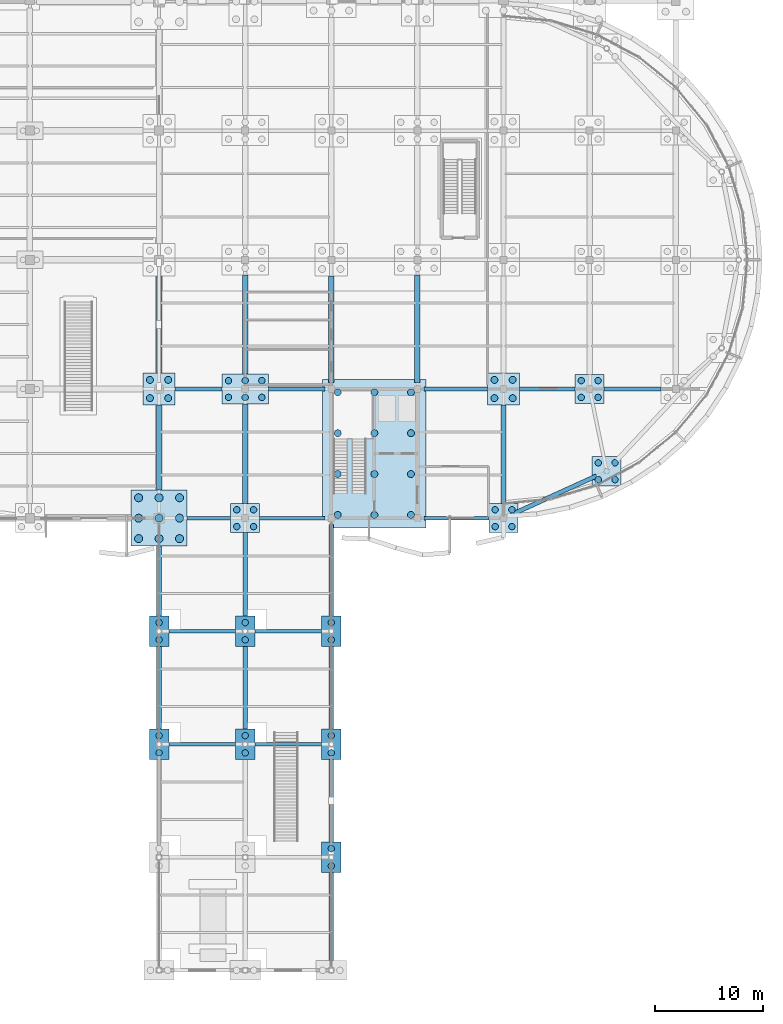
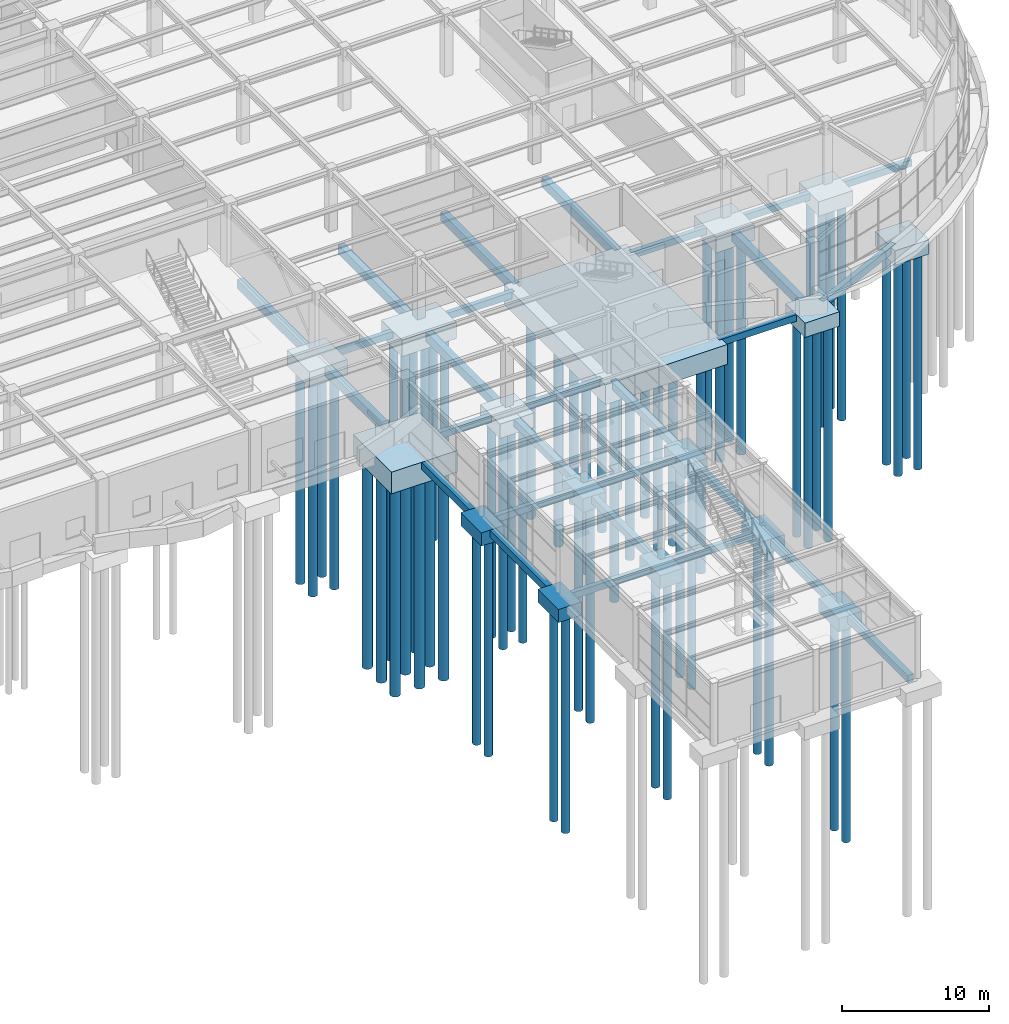
# One storey, part 7 of 85: 65 piles, 44 footings.
"""IFC4 building model written with IfcOpenShell, lengths in metres."""

from ifc_helpers import new_model, si_unit, direction, frame, origin, origin_2d, place, context, subcontext, project, spatial, polyline, rectangle, circle, outline, extrude, material, material_profile, profile_set, type_object, element, save


model = new_model("IFC4")

# Units and contexts
model_context = context("Model", 3, precision=1e-05, world=origin(), true_north=direction((0.0, 1.0)))
body_context = subcontext(model_context, "Body", "Model", "MODEL_VIEW")
ifc_project = project(units=[si_unit("LENGTHUNIT", "METRE"), si_unit("AREAUNIT", "SQUARE_METRE"), si_unit("VOLUMEUNIT", "CUBIC_METRE"), si_unit("PLANEANGLEUNIT", "RADIAN"), si_unit("MASSUNIT", "GRAM", prefix="KILO")], contexts=[model_context])

# Site, building, storey
site_placement = place(None, origin())
site = spatial("IfcSite", under=ifc_project, at=site_placement, CompositionType="ELEMENT")
building_placement = place(site_placement, origin())
building = spatial("IfcBuilding", under=site, at=building_placement, Name="Keelwater Ferry Terminal", CompositionType="ELEMENT")
storey_placement = place(building_placement, origin())
storey = spatial("IfcBuildingStorey", under=building, at=storey_placement, Name="L00", CompositionType="ELEMENT", Elevation=0.0)

# Piles
ifc_material_1 = material(Name="Concrete C45/55", Category="concrete")
ifc_material_profile_1 = material_profile(ifc_material_1, circle(Radius=0.375, at=origin_2d()), Name="PILE D750")
ifc_profile_set_1 = profile_set([ifc_material_profile_1], Name="Concrete C45/55")
pile_type_1 = type_object("IfcPileType", Name="P1 PILE D750", PredefinedType="DRIVEN", material=ifc_profile_set_1)
for number, where, z_axis, x_axis, name in (
    (1, (130.10009765625, 40.10009765625, -2.10009765625), (0.0, 0.0, -1.0), (1.0, 0.0, 0.0), "Driven Pile 0345"),
    (2, (132.0, 40.10009765625, -2.10009765625), (0.0, 0.0, -1.0), (1.0, 0.0, 0.0), "Driven Pile 0346"),
    (3, (133.89990234375, 40.10009765625, -2.10009765625), (0.0, 0.0, -1.0), (1.0, 0.0, 0.0), "Driven Pile 0347"),
    (4, (130.10009765625, 42.0, -2.10009765625), (0.0, 0.0, -1.0), (1.0, 0.0, 0.0), "Driven Pile 0348"),
    (5, (132.0, 42.0, -2.10009765625), (0.0, 0.0, -1.0), (1.0, 0.0, 0.0), "Driven Pile 0349"),
    (6, (133.89990234375, 42.0, -2.10009765625), (0.0, 0.0, -1.0), (1.0, 0.0, 0.0), "Driven Pile 0350"),
    (7, (130.10009765625, 43.89990234375, -2.10009765625), (0.0, 0.0, -1.0), (1.0, 0.0, 0.0), "Driven Pile 0351"),
    (8, (132.0, 43.89990234375, -2.10009765625), (0.0, 0.0, -1.0), (1.0, 0.0, 0.0), "Driven Pile 0352"),
    (9, (133.89990234375, 43.89990234375, -2.10009765625), (0.0, 0.0, -1.0), (1.0, 0.0, 0.0), "Driven Pile 0353"),
):
    element("IfcPile", number, at=place(storey_placement, frame(where, z_axis=z_axis, x_axis=x_axis)), inside=storey, type_object=pile_type_1, Name=name, PredefinedType="DRIVEN", context=body_context, shape_type="SweptSolid", body=[
        extrude(circle(Radius=0.375, at=origin_2d()), origin(), (0.0, 0.0, 1.0), 17.39990234375),
    ])
ifc_material_2 = material(Name="Concrete C45/55", Category="concrete")
ifc_material_profile_2 = material_profile(ifc_material_2, circle(Radius=0.324951171875, at=origin_2d()), Name="PILE D650")
ifc_profile_set_2 = profile_set([ifc_material_profile_2], Name="Concrete C45/55")
pile_type_2 = type_object("IfcPileType", Name="P2 PILE D650", PredefinedType="DRIVEN", material=ifc_profile_set_2)
for number, where, z_axis, x_axis, name in (
    (10, (148.60009765625, 42.300048828125, -1.949951171875), (0.0, 0.0, -1.0), (1.0, 0.0, 0.0), "Driven Pile 0034"),
    (11, (148.60009765625, 46.10009765625, -1.949951171875), (0.0, 0.0, -1.0), (1.0, 0.0, 0.0), "Driven Pile 0035"),
    (12, (148.60009765625, 49.89990234375, -1.949951171875), (0.0, 0.0, -1.0), (1.0, 0.0, 0.0), "Driven Pile 0036"),
    (13, (148.60009765625, 53.699951171875, -1.949951171875), (0.0, 0.0, -1.0), (1.0, 0.0, 0.0), "Driven Pile 0037"),
    (14, (152.0, 42.300048828125, -1.949951171875), (0.0, 0.0, -1.0), (1.0, 0.0, 0.0), "Driven Pile 0038"),
    (15, (152.0, 46.10009765625, -1.949951171875), (0.0, 0.0, -1.0), (1.0, 0.0, 0.0), "Driven Pile 0039"),
    (16, (152.0, 49.89990234375, -1.949951171875), (0.0, 0.0, -1.0), (1.0, 0.0, 0.0), "Driven Pile 0040"),
    (17, (152.0, 53.699951171875, -1.949951171875), (0.0, 0.0, -1.0), (1.0, 0.0, 0.0), "Driven Pile 0041"),
    (18, (155.39990234375, 42.300048828125, -1.949951171875), (0.0, 0.0, -1.0), (1.0, 0.0, 0.0), "Driven Pile 0042"),
    (19, (155.39990234375, 46.10009765625, -1.949951171875), (0.0, 0.0, -1.0), (1.0, 0.0, 0.0), "Driven Pile 0043"),
    (20, (155.39990234375, 49.89990234375, -1.949951171875), (0.0, 0.0, -1.0), (1.0, 0.0, 0.0), "Driven Pile 0044"),
    (21, (155.39990234375, 53.699951171875, -1.949951171875), (0.0, 0.0, -1.0), (1.0, 0.0, 0.0), "Driven Pile 0045"),
):
    element("IfcPile", number, at=place(storey_placement, frame(where, z_axis=z_axis, x_axis=x_axis)), inside=storey, type_object=pile_type_2, Name=name, PredefinedType="DRIVEN", context=body_context, shape_type="SweptSolid", body=[
        extrude(circle(Radius=0.324951171875, at=origin_2d()), origin(), (0.0, 0.0, 1.0), 17.550048828125),
    ])
for number, where, z_axis, x_axis, name in (
    (22, (131.14990234375, 53.14990234375, -1.60009765625), (0.0, 0.0, -1.0), (1.0, 0.0, 0.0), "Driven Pile 0354"),
    (23, (132.85009765625, 53.14990234375, -1.60009765625), (0.0, 0.0, -1.0), (1.0, 0.0, 0.0), "Driven Pile 0355"),
    (24, (131.14990234375, 54.85009765625, -1.60009765625), (0.0, 0.0, -1.0), (1.0, 0.0, 0.0), "Driven Pile 0356"),
    (25, (132.85009765625, 54.85009765625, -1.60009765625), (0.0, 0.0, -1.0), (1.0, 0.0, 0.0), "Driven Pile 0357"),
    (26, (163.14990234375, 53.14990234375, -1.60009765625), (0.0, 0.0, -1.0), (1.0, 0.0, 0.0), "Driven Pile 0519"),
    (27, (164.85009765625, 53.14990234375, -1.60009765625), (0.0, 0.0, -1.0), (1.0, 0.0, 0.0), "Driven Pile 0520"),
    (28, (163.14990234375, 54.85009765625, -1.60009765625), (0.0, 0.0, -1.0), (1.0, 0.0, 0.0), "Driven Pile 0521"),
    (29, (164.85009765625, 54.85009765625, -1.60009765625), (0.0, 0.0, -1.0), (1.0, 0.0, 0.0), "Driven Pile 0522"),
):
    element("IfcPile", number, at=place(storey_placement, frame(where, z_axis=z_axis, x_axis=x_axis)), inside=storey, type_object=pile_type_2, Name=name, PredefinedType="DRIVEN", context=body_context, shape_type="SweptSolid", body=[
        extrude(circle(Radius=0.324951171875, at=origin_2d()), origin(), (0.0, 0.0, 1.0), 17.89990234375),
    ])
ifc_material_3 = material(Name="Concrete C45/55", Category="concrete")
ifc_material_profile_3 = material_profile(ifc_material_3, circle(Radius=0.300048828125, at=origin_2d()), Name="PILE D600")
ifc_profile_set_3 = profile_set([ifc_material_profile_3], Name="Concrete C45/55")
pile_type_3 = type_object("IfcPileType", Name="P3 PILE D600", PredefinedType="DRIVEN", material=ifc_profile_set_3)
for number, where, z_axis, x_axis, name in (
    (30, (132.0, 20.199951171875, -1.39990234375), (0.0, 0.0, -1.0), (1.0, 0.0, 0.0), "Driven Pile 0341"),
    (31, (132.0, 21.800048828125, -1.39990234375), (0.0, 0.0, -1.0), (1.0, 0.0, 0.0), "Driven Pile 0342"),
    (32, (132.0, 30.699951171875, -1.39990234375), (0.0, 0.0, -1.0), (1.0, 0.0, 0.0), "Driven Pile 0343"),
    (33, (132.0, 32.300048828125, -1.39990234375), (0.0, 0.0, -1.0), (1.0, 0.0, 0.0), "Driven Pile 0344"),
    (34, (140.0, 20.199951171875, -1.39990234375), (0.0, 0.0, -1.0), (1.0, 0.0, 0.0), "Driven Pile 0401"),
    (35, (140.0, 21.800048828125, -1.39990234375), (0.0, 0.0, -1.0), (1.0, 0.0, 0.0), "Driven Pile 0402"),
    (36, (140.0, 30.699951171875, -1.39990234375), (0.0, 0.0, -1.0), (1.0, 0.0, 0.0), "Driven Pile 0403"),
    (37, (140.0, 32.300048828125, -1.39990234375), (0.0, 0.0, -1.0), (1.0, 0.0, 0.0), "Driven Pile 0404"),
):
    element("IfcPile", number, at=place(storey_placement, frame(where, z_axis=z_axis, x_axis=x_axis)), inside=storey, type_object=pile_type_3, Name=name, PredefinedType="DRIVEN", context=body_context, shape_type="SweptSolid", body=[
        extrude(circle(Radius=0.300048828125, at=origin_2d()), origin(), (0.0, 0.0, 1.0), 18.10009765625),
    ])
for number, where, z_axis, x_axis, name in (
    (38, (139.219970703125, 41.219970703125, -1.5), (0.0, 0.0, -1.0), (1.0, 0.0, 0.0), "Driven Pile 0405"),
    (39, (140.780029296875, 41.219970703125, -1.5), (0.0, 0.0, -1.0), (1.0, 0.0, 0.0), "Driven Pile 0406"),
    (40, (139.219970703125, 42.780029296875, -1.5), (0.0, 0.0, -1.0), (1.0, 0.0, 0.0), "Driven Pile 0407"),
    (41, (140.780029296875, 42.780029296875, -1.5), (0.0, 0.0, -1.0), (1.0, 0.0, 0.0), "Driven Pile 0408"),
):
    element("IfcPile", number, at=place(storey_placement, frame(where, z_axis=z_axis, x_axis=x_axis)), inside=storey, type_object=pile_type_3, Name=name, PredefinedType="DRIVEN", context=body_context, shape_type="SweptSolid", body=[
        extrude(circle(Radius=0.300048828125, at=origin_2d()), origin(), (0.0, 0.0, 1.0), 18.0),
    ])
for number, where, z_axis, x_axis, name in (
    (42, (138.449951171875, 53.219970703125, -1.64990234375), (0.0, 0.0, -1.0), (1.0, 0.0, 0.0), "Driven Pile 0409"),
    (43, (140.0, 53.219970703125, -1.64990234375), (0.0, 0.0, -1.0), (1.0, 0.0, 0.0), "Driven Pile 0410"),
    (44, (141.550048828125, 53.219970703125, -1.64990234375), (0.0, 0.0, -1.0), (1.0, 0.0, 0.0), "Driven Pile 0411"),
    (45, (138.449951171875, 54.780029296875, -1.64990234375), (0.0, 0.0, -1.0), (1.0, 0.0, 0.0), "Driven Pile 0412"),
    (46, (140.0, 54.780029296875, -1.64990234375), (0.0, 0.0, -1.0), (1.0, 0.0, 0.0), "Driven Pile 0413"),
    (47, (141.550048828125, 54.780029296875, -1.64990234375), (0.0, 0.0, -1.0), (1.0, 0.0, 0.0), "Driven Pile 0414"),
):
    element("IfcPile", number, at=place(storey_placement, frame(where, z_axis=z_axis, x_axis=x_axis)), inside=storey, type_object=pile_type_3, Name=name, PredefinedType="DRIVEN", context=body_context, shape_type="SweptSolid", body=[
        extrude(circle(Radius=0.300048828125, at=origin_2d()), origin(), (0.0, 0.0, 1.0), 17.85009765625),
    ])
for number, where, z_axis, x_axis, name in (
    (48, (148.0, 9.699951171875, -1.39990234375), (0.0, 0.0, -1.0), (1.0, 0.0, 0.0), "Driven Pile 0453"),
    (49, (148.0, 11.300048828125, -1.39990234375), (0.0, 0.0, -1.0), (1.0, 0.0, 0.0), "Driven Pile 0454"),
    (50, (148.0, 20.199951171875, -1.39990234375), (0.0, 0.0, -1.0), (1.0, 0.0, 0.0), "Driven Pile 0455"),
    (51, (148.0, 21.800048828125, -1.39990234375), (0.0, 0.0, -1.0), (1.0, 0.0, 0.0), "Driven Pile 0456"),
    (52, (148.0, 30.699951171875, -1.39990234375), (0.0, 0.0, -1.0), (1.0, 0.0, 0.0), "Driven Pile 0457"),
    (53, (148.0, 32.300048828125, -1.39990234375), (0.0, 0.0, -1.0), (1.0, 0.0, 0.0), "Driven Pile 0458"),
):
    element("IfcPile", number, at=place(storey_placement, frame(where, z_axis=z_axis, x_axis=x_axis)), inside=storey, type_object=pile_type_3, Name=name, PredefinedType="DRIVEN", context=body_context, shape_type="SweptSolid", body=[
        extrude(circle(Radius=0.300048828125, at=origin_2d()), origin(), (0.0, 0.0, 1.0), 18.10009765625),
    ])
for number, where, z_axis, x_axis, name in (
    (54, (163.219970703125, 41.219970703125, -1.5), (0.0, 0.0, -1.0), (1.0, 0.0, 0.0), "Driven Pile 0515"),
    (55, (164.780029296875, 41.219970703125, -1.5), (0.0, 0.0, -1.0), (1.0, 0.0, 0.0), "Driven Pile 0516"),
    (56, (163.219970703125, 42.780029296875, -1.5), (0.0, 0.0, -1.0), (1.0, 0.0, 0.0), "Driven Pile 0517"),
    (57, (164.780029296875, 42.780029296875, -1.5), (0.0, 0.0, -1.0), (1.0, 0.0, 0.0), "Driven Pile 0518"),
    (58, (171.219970703125, 53.219970703125, -1.5), (0.0, 0.0, -1.0), (1.0, 0.0, 0.0), "Driven Pile 0543"),
    (59, (172.780029296875, 53.219970703125, -1.5), (0.0, 0.0, -1.0), (1.0, 0.0, 0.0), "Driven Pile 0544"),
    (60, (171.219970703125, 54.780029296875, -1.5), (0.0, 0.0, -1.0), (1.0, 0.0, 0.0), "Driven Pile 0545"),
    (61, (172.780029296875, 54.780029296875, -1.5), (0.0, 0.0, -1.0), (1.0, 0.0, 0.0), "Driven Pile 0546"),
    (62, (172.798095703125, 45.5810546875, -1.5), (0.0, 0.0, -1.0), (1.0, 0.0, 0.0), "Driven Pile 0651"),
    (63, (174.35791015625, 45.5810546875, -1.5), (0.0, 0.0, -1.0), (1.0, 0.0, 0.0), "Driven Pile 0652"),
    (64, (172.798095703125, 47.14111328125, -1.5), (0.0, 0.0, -1.0), (1.0, 0.0, 0.0), "Driven Pile 0653"),
    (65, (174.35791015625, 47.14111328125, -1.5), (0.0, 0.0, -1.0), (1.0, 0.0, 0.0), "Driven Pile 0654"),
):
    element("IfcPile", number, at=place(storey_placement, frame(where, z_axis=z_axis, x_axis=x_axis)), inside=storey, type_object=pile_type_3, Name=name, PredefinedType="DRIVEN", context=body_context, shape_type="SweptSolid", body=[
        extrude(circle(Radius=0.300048828125, at=origin_2d()), origin(), (0.0, 0.0, 1.0), 18.0),
    ])

# Footings
ifc_material_4 = material(Name="Concrete C40/50", Category="concrete")
footing_type_1 = type_object("IfcFootingType", Name="PC03 1800x2800x1100", PredefinedType="PILE_CAP", material=ifc_material_4)
footing_1_placement = place(storey_placement, frame((0.0, 0.0, -1.5)))
element("IfcFooting", 66, at=footing_1_placement, inside=storey, type_object=footing_type_1, Name="Pile Cap FT-CAP-0097", PredefinedType="PILE_CAP", context=body_context, shape_type="SweptSolid", body=[
    extrude(outline(polyline([(131.10009765625, 19.60009765625), (132.89990234375, 19.60009765625), (132.89990234375, 22.39990234375), (131.10009765625, 22.39990234375), (131.10009765625, 19.60009765625)])), origin(), (0.0, 0.0, 1.0), 1.10009765625),
])
footing_2_placement = place(storey_placement, frame((0.0, 0.0, -1.5)))
element("IfcFooting", 67, at=footing_2_placement, inside=storey, type_object=footing_type_1, Name="Pile Cap FT-CAP-0098", PredefinedType="PILE_CAP", context=body_context, shape_type="SweptSolid", body=[
    extrude(outline(polyline([(131.10009765625, 30.10009765625), (132.89990234375, 30.10009765625), (132.89990234375, 32.89990234375), (131.10009765625, 32.89990234375), (131.10009765625, 30.10009765625)])), origin(), (0.0, 0.0, 1.0), 1.10009765625),
])
footing_3_placement = place(storey_placement, frame((0.0, 0.0, -1.5)))
element("IfcFooting", 68, at=footing_3_placement, inside=storey, type_object=footing_type_1, Name="Pile Cap FT-CAP-0110", PredefinedType="PILE_CAP", context=body_context, shape_type="SweptSolid", body=[
    extrude(outline(polyline([(139.10009765625, 19.60009765625), (140.89990234375, 19.60009765625), (140.89990234375, 22.39990234375), (139.10009765625, 22.39990234375), (139.10009765625, 19.60009765625)])), origin(), (0.0, 0.0, 1.0), 1.10009765625),
])
footing_4_placement = place(storey_placement, frame((0.0, 0.0, -1.5)))
element("IfcFooting", 69, at=footing_4_placement, inside=storey, type_object=footing_type_1, Name="Pile Cap FT-CAP-0111", PredefinedType="PILE_CAP", context=body_context, shape_type="SweptSolid", body=[
    extrude(outline(polyline([(139.10009765625, 30.10009765625), (140.89990234375, 30.10009765625), (140.89990234375, 32.89990234375), (139.10009765625, 32.89990234375), (139.10009765625, 30.10009765625)])), origin(), (0.0, 0.0, 1.0), 1.10009765625),
])
footing_5_placement = place(storey_placement, frame((0.0, 0.0, -1.5)))
element("IfcFooting", 70, at=footing_5_placement, inside=storey, type_object=footing_type_1, Name="Pile Cap FT-CAP-0121", PredefinedType="PILE_CAP", context=body_context, shape_type="SweptSolid", body=[
    extrude(outline(polyline([(147.10009765625, 9.10009765625), (148.89990234375, 9.10009765625), (148.89990234375, 11.89990234375), (147.10009765625, 11.89990234375), (147.10009765625, 9.10009765625)])), origin(), (0.0, 0.0, 1.0), 1.10009765625),
])
footing_6_placement = place(storey_placement, frame((0.0, 0.0, -1.5)))
element("IfcFooting", 71, at=footing_6_placement, inside=storey, type_object=footing_type_1, Name="Pile Cap FT-CAP-0122", PredefinedType="PILE_CAP", context=body_context, shape_type="SweptSolid", body=[
    extrude(outline(polyline([(147.10009765625, 19.60009765625), (148.89990234375, 19.60009765625), (148.89990234375, 22.39990234375), (147.10009765625, 22.39990234375), (147.10009765625, 19.60009765625)])), origin(), (0.0, 0.0, 1.0), 1.10009765625),
])
footing_7_placement = place(storey_placement, frame((0.0, 0.0, -1.5)))
element("IfcFooting", 72, at=footing_7_placement, inside=storey, type_object=footing_type_1, Name="Pile Cap FT-CAP-0123", PredefinedType="PILE_CAP", context=body_context, shape_type="SweptSolid", body=[
    extrude(outline(polyline([(147.10009765625, 30.10009765625), (148.89990234375, 30.10009765625), (148.89990234375, 32.89990234375), (147.10009765625, 32.89990234375), (147.10009765625, 30.10009765625)])), origin(), (0.0, 0.0, 1.0), 1.10009765625),
])
ifc_material_5 = material(Name="Concrete C40/50", Category="concrete")
footing_type_2 = type_object("IfcFootingType", Name="PC04 2700x2700x1200", PredefinedType="PILE_CAP", material=ifc_material_5)
footing_8_placement = place(storey_placement, frame((0.0, 0.0, -1.60009765625)))
element("IfcFooting", 73, at=footing_8_placement, inside=storey, type_object=footing_type_2, Name="Pile Cap FT-CAP-0112", PredefinedType="PILE_CAP", context=body_context, shape_type="SweptSolid", body=[
    extrude(outline(polyline([(138.64990234375, 40.64990234375), (141.35009765625, 40.64990234375), (141.35009765625, 43.35009765625), (138.64990234375, 43.35009765625), (138.64990234375, 40.64990234375)])), origin(), (0.0, 0.0, 1.0), 1.2001953125),
])
footing_9_placement = place(storey_placement, frame((0.0, 0.0, -1.60009765625)))
element("IfcFooting", 74, at=footing_9_placement, inside=storey, type_object=footing_type_2, Name="Pile Cap FT-CAP-0134", PredefinedType="PILE_CAP", context=body_context, shape_type="SweptSolid", body=[
    extrude(outline(polyline([(162.64990234375, 40.64990234375), (165.35009765625, 40.64990234375), (165.35009765625, 43.35009765625), (162.64990234375, 43.35009765625), (162.64990234375, 40.64990234375)])), origin(), (0.0, 0.0, 1.0), 1.2001953125),
])
footing_10_placement = place(storey_placement, frame((0.0, 0.0, -1.60009765625)))
element("IfcFooting", 75, at=footing_10_placement, inside=storey, type_object=footing_type_2, Name="Pile Cap FT-CAP-0140", PredefinedType="PILE_CAP", context=body_context, shape_type="SweptSolid", body=[
    extrude(outline(polyline([(170.64990234375, 52.64990234375), (173.35009765625, 52.64990234375), (173.35009765625, 55.35009765625), (170.64990234375, 55.35009765625), (170.64990234375, 52.64990234375)])), origin(), (0.0, 0.0, 1.0), 1.2001953125),
])
footing_11_placement = place(storey_placement, frame((0.0, 0.0, -1.60009765625)))
element("IfcFooting", 76, at=footing_11_placement, inside=storey, type_object=footing_type_2, Name="Pile Cap FT-CAP-0165", PredefinedType="PILE_CAP", context=body_context, shape_type="SweptSolid", body=[
    extrude(outline(polyline([(172.22802734375, 45.010986328125), (174.927978515625, 45.010986328125), (174.927978515625, 47.7109375), (172.22802734375, 47.7109375), (172.22802734375, 45.010986328125)])), origin(), (0.0, 0.0, 1.0), 1.2001953125),
])
ifc_material_6 = material(Name="Concrete C40/50", Category="concrete")
footing_type_3 = type_object("IfcFootingType", Name="PC05 3000x3000x1300", PredefinedType="PILE_CAP", material=ifc_material_6)
footing_12_placement = place(storey_placement, frame((0.0, 0.0, -1.699951171875)))
element("IfcFooting", 77, at=footing_12_placement, inside=storey, type_object=footing_type_3, Name="Pile Cap FT-CAP-0100", PredefinedType="PILE_CAP", context=body_context, shape_type="SweptSolid", body=[
    extrude(outline(polyline([(130.5, 52.5), (133.5, 52.5), (133.5, 55.5), (130.5, 55.5), (130.5, 52.5)])), origin(), (0.0, 0.0, 1.0), 1.300048828125),
])
footing_13_placement = place(storey_placement, frame((0.0, 0.0, -1.699951171875)))
element("IfcFooting", 78, at=footing_13_placement, inside=storey, type_object=footing_type_3, Name="Pile Cap FT-CAP-0135", PredefinedType="PILE_CAP", context=body_context, shape_type="SweptSolid", body=[
    extrude(outline(polyline([(162.5, 52.5), (165.5, 52.5), (165.5, 55.5), (162.5, 55.5), (162.5, 52.5)])), origin(), (0.0, 0.0, 1.0), 1.300048828125),
])
ifc_material_7 = material(Name="Concrete C40/50", Category="concrete")
footing_type_4 = type_object("IfcFootingType", Name="PC09 5200x5200x1800", PredefinedType="PILE_CAP", material=ifc_material_7)
footing_14_placement = place(storey_placement, frame((0.0, 0.0, -2.199951171875)))
element("IfcFooting", 79, at=footing_14_placement, inside=storey, type_object=footing_type_4, Name="Pile Cap FT-CAP-0099", PredefinedType="PILE_CAP", context=body_context, shape_type="SweptSolid", body=[
    extrude(outline(polyline([(129.39990234375, 39.39990234375), (134.60009765625, 39.39990234375), (134.60009765625, 44.60009765625), (129.39990234375, 44.60009765625), (129.39990234375, 39.39990234375)])), origin(), (0.0, 0.0, 1.0), 1.800048828125),
])
ifc_material_8 = material(Name="Concrete C40/50", Category="concrete")
footing_type_5 = type_object("IfcFootingType", Name="PC13 4300x2800x1350", PredefinedType="PILE_CAP", material=ifc_material_8)
footing_15_placement = place(storey_placement, frame((0.0, 0.0, -1.75)))
element("IfcFooting", 80, at=footing_15_placement, inside=storey, type_object=footing_type_5, Name="Pile Cap FT-CAP-0113", PredefinedType="PILE_CAP", context=body_context, shape_type="SweptSolid", body=[
    extrude(outline(polyline([(137.85009765625, 52.60009765625), (142.14990234375, 52.60009765625), (142.14990234375, 55.39990234375), (137.85009765625, 55.39990234375), (137.85009765625, 52.60009765625)])), origin(), (0.0, 0.0, 1.0), 1.35009765625),
])
ifc_material_9 = material(Name="Concrete C40/50", Category="concrete")
footing_type_6 = type_object("IfcFootingType", Name="PC17 9600x13800x1650", PredefinedType="PILE_CAP", material=ifc_material_9)
footing_16_placement = place(storey_placement, frame((0.0, 0.0, -2.050048828125)))
element("IfcFooting", 81, at=footing_16_placement, inside=storey, type_object=footing_type_6, Name="Core C4 Combined Pile Cap", PredefinedType="PILE_CAP", context=body_context, shape_type="SweptSolid", body=[
    extrude(outline(polyline([(147.199951171875, 41.10009765625), (156.800048828125, 41.10009765625), (156.800048828125, 54.89990234375), (147.199951171875, 54.89990234375), (147.199951171875, 41.10009765625)])), origin(), (0.0, 0.0, 1.0), 1.650146484375),
])
ifc_material_10 = material(Name="Concrete C40/50", Category="concrete")
ifc_material_profile_4 = material_profile(ifc_material_10, rectangle(XDim=0.5, YDim=0.75, at=origin_2d()), Name="TB 500x750")
ifc_profile_set_4 = profile_set([ifc_material_profile_4], Name="Concrete C40/50")
footing_type_7 = type_object("IfcFootingType", Name="TB2 500x750", PredefinedType="FOOTING_BEAM", material=ifc_profile_set_4)
footing_17_placement = place(storey_placement, frame((132.0, 44.60009765625, -0.77490234375), z_axis=(0.0, 1.0, 0.0), x_axis=(-1.0, 0.0, 0.0)))
element("IfcFooting", 82, at=footing_17_placement, inside=storey, type_object=footing_type_7, Name="Ground Tie Beam 0236", PredefinedType="FOOTING_BEAM", context=body_context, shape_type="SweptSolid", body=[
    extrude(rectangle(XDim=0.5, YDim=0.75, at=origin_2d()), origin(), (0.0, 0.0, 1.0), 7.89990234375),
])
footing_18_placement = place(storey_placement, frame((132.0, 55.5, -0.77490234375), z_axis=(0.0, 1.0, 0.0), x_axis=(-1.0, 0.0, 0.0)))
element("IfcFooting", 83, at=footing_18_placement, inside=storey, type_object=footing_type_7, Name="Ground Tie Beam 0237", PredefinedType="FOOTING_BEAM", context=body_context, shape_type="SweptSolid", body=[
    extrude(rectangle(XDim=0.5, YDim=0.75, at=origin_2d()), origin(), (0.0, 0.0, 1.0), 9.0),
])
footing_19_placement = place(storey_placement, frame((140.0, 43.35009765625, -0.77490234375), z_axis=(0.0, 1.0, 0.0), x_axis=(-1.0, 0.0, 0.0)))
element("IfcFooting", 84, at=footing_19_placement, inside=storey, type_object=footing_type_7, Name="Ground Tie Beam 0248", PredefinedType="FOOTING_BEAM", context=body_context, shape_type="SweptSolid", body=[
    extrude(rectangle(XDim=0.5, YDim=0.75, at=origin_2d()), origin(), (0.0, 0.0, 1.0), 9.25),
])
footing_20_placement = place(storey_placement, frame((140.0, 55.39990234375, -0.77490234375), z_axis=(0.0, 1.0, 0.0), x_axis=(-1.0, 0.0, 0.0)))
element("IfcFooting", 85, at=footing_20_placement, inside=storey, type_object=footing_type_7, Name="Ground Tie Beam 0249", PredefinedType="FOOTING_BEAM", context=body_context, shape_type="SweptSolid", body=[
    extrude(rectangle(XDim=0.5, YDim=0.75, at=origin_2d()), origin(), (0.0, 0.0, 1.0), 9.2001953125),
])
footing_21_placement = place(storey_placement, frame((148.0, 54.60009765625, -0.77490234375), z_axis=(0.0, 1.0, 0.0), x_axis=(-1.0, 0.0, 0.0)))
element("IfcFooting", 86, at=footing_21_placement, inside=storey, type_object=footing_type_7, Name="Ground Tie Beam 0259", PredefinedType="FOOTING_BEAM", context=body_context, shape_type="SweptSolid", body=[
    extrude(rectangle(XDim=0.5, YDim=0.75, at=origin_2d()), origin(), (0.0, 0.0, 1.0), 9.89990234375),
])
footing_22_placement = place(storey_placement, frame((156.0, 54.60009765625, -0.77490234375), z_axis=(0.0, 1.0, 0.0), x_axis=(-1.0, 0.0, 0.0)))
element("IfcFooting", 87, at=footing_22_placement, inside=storey, type_object=footing_type_7, Name="Ground Tie Beam 0265", PredefinedType="FOOTING_BEAM", context=body_context, shape_type="SweptSolid", body=[
    extrude(rectangle(XDim=0.5, YDim=0.75, at=origin_2d()), origin(), (0.0, 0.0, 1.0), 10.0),
])
footing_23_placement = place(storey_placement, frame((164.0, 43.35009765625, -0.77490234375), z_axis=(0.0, 1.0, 0.0), x_axis=(-1.0, 0.0, 0.0)))
element("IfcFooting", 88, at=footing_23_placement, inside=storey, type_object=footing_type_7, Name="Ground Tie Beam 0270", PredefinedType="FOOTING_BEAM", context=body_context, shape_type="SweptSolid", body=[
    extrude(rectangle(XDim=0.5, YDim=0.75, at=origin_2d()), origin(), (0.0, 0.0, 1.0), 9.14990234375),
])
ifc_material_11 = material(Name="Concrete C40/50", Category="concrete")
ifc_material_profile_5 = material_profile(ifc_material_11, rectangle(XDim=0.449951171875, YDim=0.60009765625, at=origin_2d()), Name="TB 450x600")
ifc_profile_set_5 = profile_set([ifc_material_profile_5], Name="Concrete C40/50")
footing_type_8 = type_object("IfcFootingType", Name="TB4 450x600", PredefinedType="FOOTING_BEAM", material=ifc_profile_set_5)
footing_24_placement = place(storey_placement, frame((132.0, 22.39990234375, -0.699951171875), z_axis=(0.0, 1.0, 0.0), x_axis=(-1.0, 0.0, 0.0)))
element("IfcFooting", 89, at=footing_24_placement, inside=storey, type_object=footing_type_8, Name="Ground Tie Beam 0234", PredefinedType="FOOTING_BEAM", context=body_context, shape_type="SweptSolid", body=[
    extrude(rectangle(XDim=0.449951171875, YDim=0.60009765625, at=origin_2d()), origin(), (0.0, 0.0, 1.0), 7.7001953125),
])
footing_25_placement = place(storey_placement, frame((132.0, 32.89990234375, -0.699951171875), z_axis=(0.0, 1.0, 0.0), x_axis=(-1.0, 0.0, 0.0)))
element("IfcFooting", 90, at=footing_25_placement, inside=storey, type_object=footing_type_8, Name="Ground Tie Beam 0235", PredefinedType="FOOTING_BEAM", context=body_context, shape_type="SweptSolid", body=[
    extrude(rectangle(XDim=0.449951171875, YDim=0.60009765625, at=origin_2d()), origin(), (0.0, 0.0, 1.0), 6.5),
])
footing_26_placement = place(storey_placement, frame((140.0, 22.39990234375, -0.699951171875), z_axis=(0.0, 1.0, 0.0), x_axis=(-1.0, 0.0, 0.0)))
element("IfcFooting", 91, at=footing_26_placement, inside=storey, type_object=footing_type_8, Name="Ground Tie Beam 0246", PredefinedType="FOOTING_BEAM", context=body_context, shape_type="SweptSolid", body=[
    extrude(rectangle(XDim=0.449951171875, YDim=0.60009765625, at=origin_2d()), origin(), (0.0, 0.0, 1.0), 7.7001953125),
])
footing_27_placement = place(storey_placement, frame((140.0, 32.89990234375, -0.699951171875), z_axis=(0.0, 1.0, 0.0), x_axis=(-1.0, 0.0, 0.0)))
element("IfcFooting", 92, at=footing_27_placement, inside=storey, type_object=footing_type_8, Name="Ground Tie Beam 0247", PredefinedType="FOOTING_BEAM", context=body_context, shape_type="SweptSolid", body=[
    extrude(rectangle(XDim=0.449951171875, YDim=0.60009765625, at=origin_2d()), origin(), (0.0, 0.0, 1.0), 7.75),
])
footing_28_placement = place(storey_placement, frame((148.0, 0.89990234375, -0.699951171875), z_axis=(0.0, 1.0, 0.0), x_axis=(-1.0, 0.0, 0.0)))
element("IfcFooting", 93, at=footing_28_placement, inside=storey, type_object=footing_type_8, Name="Ground Tie Beam 0255", PredefinedType="FOOTING_BEAM", context=body_context, shape_type="SweptSolid", body=[
    extrude(rectangle(XDim=0.449951171875, YDim=0.60009765625, at=origin_2d()), origin(), (0.0, 0.0, 1.0), 8.2001953125),
])
for number, where, z_axis, x_axis, name in (
    (94, (148.0, 11.89990234375, -0.699951171875), (0.0, 1.0, 0.0), (-1.0, 0.0, 0.0), "Ground Tie Beam 0256"),
    (95, (148.0, 22.39990234375, -0.699951171875), (0.0, 1.0, 0.0), (-1.0, 0.0, 0.0), "Ground Tie Beam 0257"),
):
    element("IfcFooting", number, at=place(storey_placement, frame(where, z_axis=z_axis, x_axis=x_axis)), inside=storey, type_object=footing_type_8, Name=name, PredefinedType="FOOTING_BEAM", context=body_context, shape_type="SweptSolid", body=[
        extrude(rectangle(XDim=0.449951171875, YDim=0.60009765625, at=origin_2d()), origin(), (0.0, 0.0, 1.0), 7.7001953125),
    ])
footing_29_placement = place(storey_placement, frame((148.0, 32.89990234375, -0.699951171875), z_axis=(0.0, 1.0, 0.0), x_axis=(-1.0, 0.0, 0.0)))
element("IfcFooting", 96, at=footing_29_placement, inside=storey, type_object=footing_type_8, Name="Ground Tie Beam 0258", PredefinedType="FOOTING_BEAM", context=body_context, shape_type="SweptSolid", body=[
    extrude(rectangle(XDim=0.449951171875, YDim=0.60009765625, at=origin_2d()), origin(), (0.0, 0.0, 1.0), 8.5),
])
ifc_material_12 = material(Name="Concrete C40/50", Category="concrete")
ifc_material_profile_6 = material_profile(ifc_material_12, rectangle(XDim=0.39990234375, YDim=0.60009765625, at=origin_2d()), Name="TB 400x600")
ifc_profile_set_6 = profile_set([ifc_material_profile_6], Name="Concrete C40/50")
footing_type_9 = type_object("IfcFootingType", Name="TB5 400x600", PredefinedType="FOOTING_BEAM", material=ifc_profile_set_6)
footing_30_placement = place(storey_placement, frame((172.6220703125, 45.926025390625, -0.699951171875), z_axis=(-0.910079402267, -0.414433929077, 0.0), x_axis=(0.414433929077, -0.910079402267, 0.0)))
element("IfcFooting", 97, at=footing_30_placement, inside=storey, type_object=footing_type_9, Name="Ground Tie Beam 0301", PredefinedType="FOOTING_BEAM", context=body_context, shape_type="SweptSolid", body=[
    extrude(rectangle(XDim=0.39990234375, YDim=0.60009765625, at=origin_2d()), origin(), (0.0, 0.0, 1.0), 8.42333984375),
])
ifc_material_13 = material(Name="Concrete C40/50", Category="concrete")
ifc_material_profile_7 = material_profile(ifc_material_13, rectangle(XDim=0.35009765625, YDim=0.550048828125, at=origin_2d()), Name="TB 350x550")
ifc_profile_set_7 = profile_set([ifc_material_profile_7], Name="Concrete C40/50")
footing_type_10 = type_object("IfcFootingType", Name="TB7 350x550", PredefinedType="FOOTING_BEAM", material=ifc_profile_set_7)
for number, where, z_axis, x_axis, name in (
    (98, (132.89990234375, 21.0, -0.675048828125), (1.0, 0.0, 0.0), (0.0, 1.0, 0.0), "Ground Tie Beam 0011"),
    (99, (140.89990234375, 21.0, -0.675048828125), (1.0, 0.0, 0.0), (0.0, 1.0, 0.0), "Ground Tie Beam 0012"),
    (100, (132.89990234375, 31.5, -0.675048828125), (1.0, 0.0, 0.0), (0.0, 1.0, 0.0), "Ground Tie Beam 0015"),
    (101, (140.89990234375, 31.5, -0.675048828125), (1.0, 0.0, 0.0), (0.0, 1.0, 0.0), "Ground Tie Beam 0016"),
):
    element("IfcFooting", number, at=place(storey_placement, frame(where, z_axis=z_axis, x_axis=x_axis)), inside=storey, type_object=footing_type_10, Name=name, PredefinedType="FOOTING_BEAM", context=body_context, shape_type="SweptSolid", body=[
        extrude(rectangle(XDim=0.35009765625, YDim=0.550048828125, at=origin_2d()), origin(), (0.0, 0.0, 1.0), 6.2001953125),
    ])
footing_31_placement = place(storey_placement, frame((134.60009765625, 42.0, -0.675048828125), z_axis=(1.0, 0.0, 0.0), x_axis=(0.0, 1.0, 0.0)))
element("IfcFooting", 102, at=footing_31_placement, inside=storey, type_object=footing_type_10, Name="Ground Tie Beam 0027", PredefinedType="FOOTING_BEAM", context=body_context, shape_type="SweptSolid", body=[
    extrude(rectangle(XDim=0.35009765625, YDim=0.550048828125, at=origin_2d()), origin(), (0.0, 0.0, 1.0), 4.0498046875),
])
for number, where, z_axis, x_axis, name in (
    (103, (141.35009765625, 42.0, -0.675048828125), (1.0, 0.0, 0.0), (0.0, 1.0, 0.0), "Ground Tie Beam 0028"),
    (104, (156.60009765625, 42.0, -0.675048828125), (1.0, 0.0, 0.0), (0.0, 1.0, 0.0), "Ground Tie Beam 0029"),
):
    element("IfcFooting", number, at=place(storey_placement, frame(where, z_axis=z_axis, x_axis=x_axis)), inside=storey, type_object=footing_type_10, Name=name, PredefinedType="FOOTING_BEAM", context=body_context, shape_type="SweptSolid", body=[
        extrude(rectangle(XDim=0.35009765625, YDim=0.550048828125, at=origin_2d()), origin(), (0.0, 0.0, 1.0), 6.0498046875),
    ])
footing_32_placement = place(storey_placement, frame((133.5, 54.0, -0.675048828125), z_axis=(1.0, 0.0, 0.0), x_axis=(0.0, 1.0, 0.0)))
element("IfcFooting", 105, at=footing_32_placement, inside=storey, type_object=footing_type_10, Name="Ground Tie Beam 0042", PredefinedType="FOOTING_BEAM", context=body_context, shape_type="SweptSolid", body=[
    extrude(rectangle(XDim=0.35009765625, YDim=0.550048828125, at=origin_2d()), origin(), (0.0, 0.0, 1.0), 4.35009765625),
])
footing_33_placement = place(storey_placement, frame((142.14990234375, 54.0, -0.675048828125), z_axis=(1.0, 0.0, 0.0), x_axis=(0.0, 1.0, 0.0)))
element("IfcFooting", 106, at=footing_33_placement, inside=storey, type_object=footing_type_10, Name="Ground Tie Beam 0043", PredefinedType="FOOTING_BEAM", context=body_context, shape_type="SweptSolid", body=[
    extrude(rectangle(XDim=0.35009765625, YDim=0.550048828125, at=origin_2d()), origin(), (0.0, 0.0, 1.0), 5.25),
])
footing_34_placement = place(storey_placement, frame((156.60009765625, 54.0, -0.675048828125), z_axis=(1.0, 0.0, 0.0), x_axis=(0.0, 1.0, 0.0)))
element("IfcFooting", 107, at=footing_34_placement, inside=storey, type_object=footing_type_10, Name="Ground Tie Beam 0044", PredefinedType="FOOTING_BEAM", context=body_context, shape_type="SweptSolid", body=[
    extrude(rectangle(XDim=0.35009765625, YDim=0.550048828125, at=origin_2d()), origin(), (0.0, 0.0, 1.0), 5.89990234375),
])
footing_35_placement = place(storey_placement, frame((165.5, 54.0, -0.675048828125), z_axis=(1.0, 0.0, 0.0), x_axis=(0.0, 1.0, 0.0)))
element("IfcFooting", 108, at=footing_35_placement, inside=storey, type_object=footing_type_10, Name="Ground Tie Beam 0045", PredefinedType="FOOTING_BEAM", context=body_context, shape_type="SweptSolid", body=[
    extrude(rectangle(XDim=0.35009765625, YDim=0.550048828125, at=origin_2d()), origin(), (0.0, 0.0, 1.0), 5.14990234375),
])
footing_36_placement = place(storey_placement, frame((173.35009765625, 54.0, -0.675048828125), z_axis=(1.0, 0.0, 0.0), x_axis=(0.0, 1.0, 0.0)))
element("IfcFooting", 109, at=footing_36_placement, inside=storey, type_object=footing_type_10, Name="Ground Tie Beam 0046", PredefinedType="FOOTING_BEAM", context=body_context, shape_type="SweptSolid", body=[
    extrude(rectangle(XDim=0.35009765625, YDim=0.550048828125, at=origin_2d()), origin(), (0.0, 0.0, 1.0), 5.2998046875),
])

save(model, "model.ifc")
